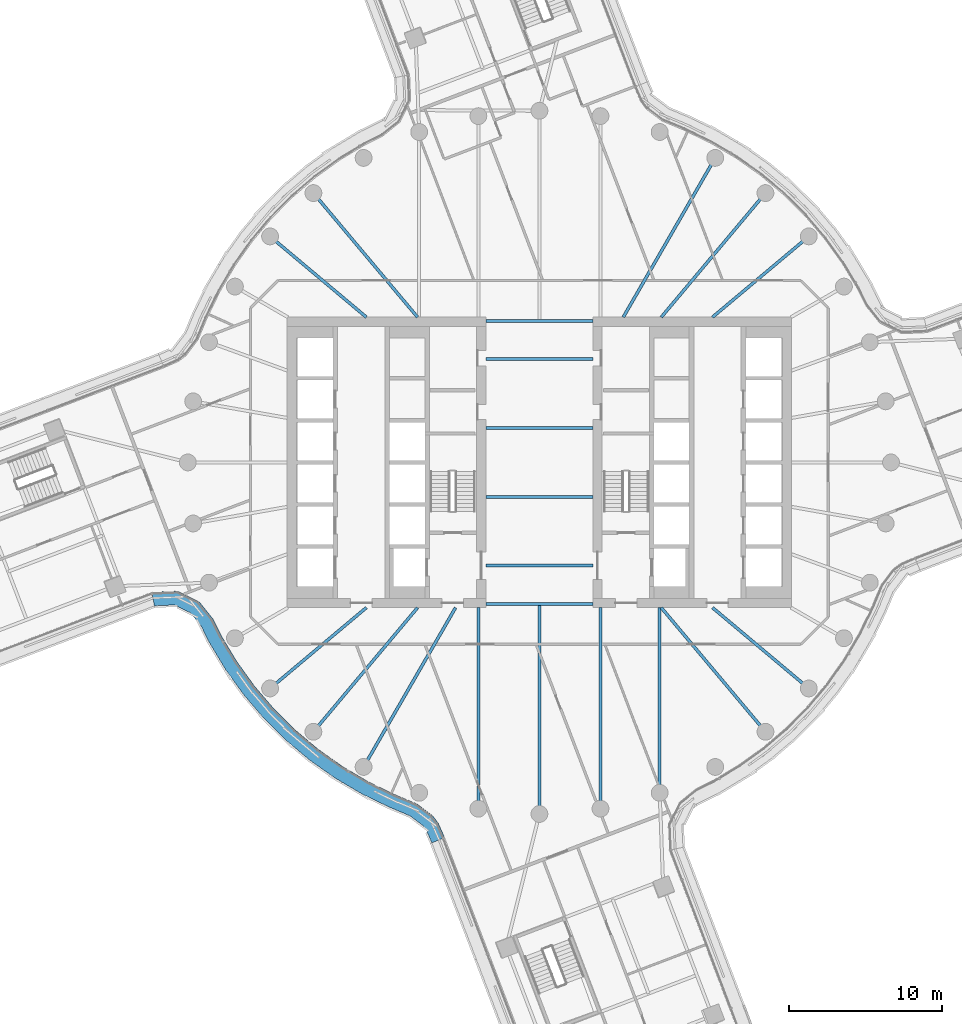
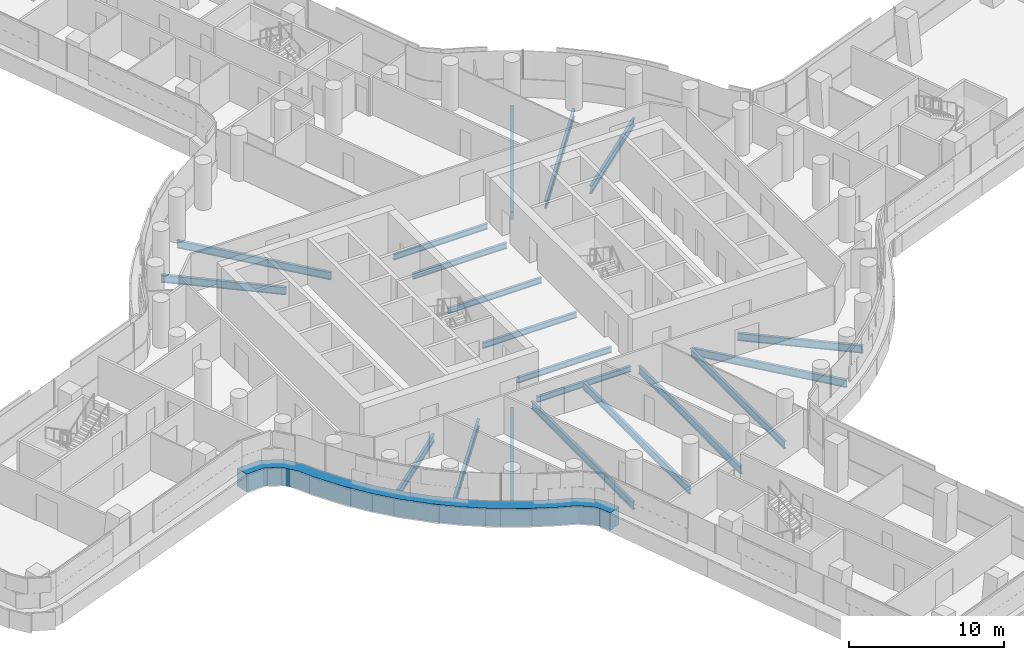
# One storey, part 8 of 32: 20 beams, 1 member, 1 element without a shape of its own.
"""IFC4 building model written with IfcOpenShell, lengths in metres."""

from ifc_helpers import new_model, si_unit, direction, frame, origin, origin_2d, place, context, subcontext, project, spatial, polyline, i_section, outline, extrude, material, layer, layer_set, material_profile, profile_set, type_object, element, aggregate, save


model = new_model("IFC4")

# Units and contexts
model_context = context("Model", 3, precision=1e-05, world=origin(), true_north=direction((0.0, 1.0)))
body_context = subcontext(model_context, "Body", "Model", "MODEL_VIEW")
ifc_project = project(units=[si_unit("LENGTHUNIT", "METRE"), si_unit("AREAUNIT", "SQUARE_METRE"), si_unit("VOLUMEUNIT", "CUBIC_METRE"), si_unit("PLANEANGLEUNIT", "RADIAN"), si_unit("MASSUNIT", "GRAM", prefix="KILO")], contexts=[model_context])

# Site, building, storey
site_placement = place(None, origin())
site = spatial("IfcSite", under=ifc_project, at=site_placement, CompositionType="ELEMENT")
building_placement = place(site_placement, origin())
building = spatial("IfcBuilding", under=site, at=building_placement, Name="Tamarind Cross Interchange Tower", CompositionType="ELEMENT")
storey_placement = place(building_placement, frame((0.0, 0.0, 109.75)))
storey = spatial("IfcBuildingStorey", under=building, at=storey_placement, Name="L26", CompositionType="ELEMENT", Elevation=109.75)

# Beams
ifc_material_1 = material(Name="Steel Q355B", Category="steel")
ifc_material_profile_1 = material_profile(ifc_material_1, i_section(OverallWidth=0.198974609375, OverallDepth=0.446044921875, WebThickness=0.008056640625, FlangeThickness=0.011962890625, FilletRadius=0.012939453125, at=origin_2d()), Name="HN 446x199x8x12")
ifc_profile_set_1 = profile_set([ifc_material_profile_1], Name="Steel Q355B")
beam_type_1 = type_object("IfcBeamType", Name="Composite beam HN 446x199x8x12 Q355B", PredefinedType="BEAM", material=ifc_profile_set_1)
for number, where, z_axis, x_axis, name in (
    (1, (-3.5, -2.25, -0.363037109375), (1.0, 0.0, 0.0), (0.0, 1.0, 0.0), "Beam G-2.25"),
    (2, (-3.5, -6.75, -0.363037109375), (1.0, 0.0, 0.0), (0.0, 1.0, 0.0), "Beam G-6.75"),
    (3, (-3.5, -9.25, -0.363037109375), (1.0, 0.0, 0.0), (0.0, 1.0, 0.0), "Beam G-9.25"),
    (4, (-3.5, 2.25, -0.363037109375), (1.0, 0.0, 0.0), (0.0, 1.0, 0.0), "Beam G2.25"),
    (5, (-3.5, 6.75, -0.363037109375), (1.0, 0.0, 0.0), (0.0, 1.0, 0.0), "Beam G6.75"),
    (6, (-3.5, 9.25, -0.363037109375), (1.0, 0.0, 0.0), (0.0, 1.0, 0.0), "Beam G9.25"),
):
    element("IfcBeam", number, at=place(storey_placement, frame(where, z_axis=z_axis, x_axis=x_axis)), inside=storey, type_object=beam_type_1, Name=name, PredefinedType="BEAM", context=body_context, shape_type="SweptSolid", body=[
        extrude(i_section(OverallWidth=0.198974609375, OverallDepth=0.446044921875, WebThickness=0.008056640625, FlangeThickness=0.011962890625, FilletRadius=0.012939453125, at=origin_2d()), origin(), (0.0, 0.0, 1.0), 7.0),
    ])
ifc_material_profile_2 = material_profile(ifc_material_1, i_section(OverallWidth=0.198974609375, OverallDepth=0.595947265625, WebThickness=0.010009765625, FlangeThickness=0.014892578125, FilletRadius=0.012939453125, at=origin_2d()), Name="HN 596x199x10x15")
ifc_profile_set_2 = profile_set([ifc_material_profile_2], Name="Steel Q355B")
beam_type_2 = type_object("IfcBeamType", Name="Composite beam HN 596x199x10x15 Q355B", PredefinedType="BEAM", material=ifc_profile_set_2)
beam_1_placement = place(storey_placement, frame((17.619140625, 14.7841796875, -0.43798828125), z_axis=(-0.766040580814, -0.642792212574, 0.0), x_axis=(0.642792212574, -0.766040580814, 0.0)))
element("IfcBeam", 7, at=beam_1_placement, inside=storey, type_object=beam_type_2, Name="Beam HH04", PredefinedType="BEAM", context=body_context, shape_type="SweptSolid", body=[
    extrude(i_section(OverallWidth=0.198974609375, OverallDepth=0.595947265625, WebThickness=0.010009765625, FlangeThickness=0.014892578125, FilletRadius=0.012939453125, at=origin_2d()), origin(), (0.0, 0.0, 1.0), 8.220703125),
])
beam_2_placement = place(storey_placement, frame((14.7841796875, 17.619140625, -0.43798828125), z_axis=(-0.642786293979, -0.766045547127, 0.0), x_axis=(0.766045547127, -0.642786293979, 0.0)))
element("IfcBeam", 8, at=beam_2_placement, inside=storey, type_object=beam_type_2, Name="Beam HH05", PredefinedType="BEAM", context=body_context, shape_type="SweptSolid", body=[
    extrude(i_section(OverallWidth=0.198974609375, OverallDepth=0.595947265625, WebThickness=0.010009765625, FlangeThickness=0.014892578125, FilletRadius=0.012939453125, at=origin_2d()), origin(), (0.0, 0.0, 1.0), 10.598876953125),
])
beam_3_placement = place(storey_placement, frame((11.5, 19.918701171875, -0.43798828125), z_axis=(-0.499993565836, -0.866029118519, 0.0), x_axis=(0.866029118519, -0.499993565836, 0.0)))
element("IfcBeam", 9, at=beam_3_placement, inside=storey, type_object=beam_type_2, Name="Beam HH06", PredefinedType="BEAM", context=body_context, shape_type="SweptSolid", body=[
    extrude(i_section(OverallWidth=0.198974609375, OverallDepth=0.595947265625, WebThickness=0.010009765625, FlangeThickness=0.014892578125, FilletRadius=0.012939453125, at=origin_2d()), origin(), (0.0, 0.0, 1.0), 12.030517578125),
])
beam_4_placement = place(storey_placement, frame((-14.7841796875, 17.619140625, -0.43798828125), z_axis=(0.642786293979, -0.766045547127, 0.0), x_axis=(0.766045547127, 0.642786293979, 0.0)))
element("IfcBeam", 10, at=beam_4_placement, inside=storey, type_object=beam_type_2, Name="Beam HH13", PredefinedType="BEAM", context=body_context, shape_type="SweptSolid", body=[
    extrude(i_section(OverallWidth=0.198974609375, OverallDepth=0.595947265625, WebThickness=0.010009765625, FlangeThickness=0.014892578125, FilletRadius=0.012939453125, at=origin_2d()), origin(), (0.0, 0.0, 1.0), 10.598876953125),
])
for number, where, z_axis, x_axis, name in (
    (11, (-17.619140625, 14.7841796875, -0.43798828125), (0.766040580814, -0.642792212574, 0.0), (0.642792212574, 0.766040580814, 0.0), "Beam HH14"),
    (12, (-17.619140625, -14.7841796875, -0.43798828125), (0.766040580814, 0.642792212574, 0.0), (-0.642792212574, 0.766040580814, 0.0), "Beam HH22"),
):
    element("IfcBeam", number, at=place(storey_placement, frame(where, z_axis=z_axis, x_axis=x_axis)), inside=storey, type_object=beam_type_2, Name=name, PredefinedType="BEAM", context=body_context, shape_type="SweptSolid", body=[
        extrude(i_section(OverallWidth=0.198974609375, OverallDepth=0.595947265625, WebThickness=0.010009765625, FlangeThickness=0.014892578125, FilletRadius=0.012939453125, at=origin_2d()), origin(), (0.0, 0.0, 1.0), 8.220703125),
    ])
beam_5_placement = place(storey_placement, frame((-14.7841796875, -17.619140625, -0.43798828125), z_axis=(0.642786293979, 0.766045547127, 0.0), x_axis=(-0.766045547127, 0.642786293979, 0.0)))
element("IfcBeam", 13, at=beam_5_placement, inside=storey, type_object=beam_type_2, Name="Beam HH23", PredefinedType="BEAM", context=body_context, shape_type="SweptSolid", body=[
    extrude(i_section(OverallWidth=0.198974609375, OverallDepth=0.595947265625, WebThickness=0.010009765625, FlangeThickness=0.014892578125, FilletRadius=0.012939453125, at=origin_2d()), origin(), (0.0, 0.0, 1.0), 10.598876953125),
])
beam_6_placement = place(storey_placement, frame((-11.5, -19.918701171875, -0.43798828125), z_axis=(0.499993565836, 0.866029118519, 0.0), x_axis=(-0.866029118519, 0.499993565836, 0.0)))
element("IfcBeam", 14, at=beam_6_placement, inside=storey, type_object=beam_type_2, Name="Beam HH24", PredefinedType="BEAM", context=body_context, shape_type="SweptSolid", body=[
    extrude(i_section(OverallWidth=0.198974609375, OverallDepth=0.595947265625, WebThickness=0.010009765625, FlangeThickness=0.014892578125, FilletRadius=0.012939453125, at=origin_2d()), origin(), (0.0, 0.0, 1.0), 12.030517578125),
])
beam_7_placement = place(storey_placement, frame((-3.993896484375, -22.650634765625, -0.43798828125), z_axis=(0.0, 1.0, 0.0), x_axis=(-1.0, 0.0, 0.0)))
element("IfcBeam", 15, at=beam_7_placement, inside=storey, type_object=beam_type_2, Name="Beam HH26", PredefinedType="BEAM", context=body_context, shape_type="SweptSolid", body=[
    extrude(i_section(OverallWidth=0.198974609375, OverallDepth=0.595947265625, WebThickness=0.010009765625, FlangeThickness=0.014892578125, FilletRadius=0.012939453125, at=origin_2d()), origin(), (0.0, 0.0, 1.0), 13.150634765625),
])
beam_8_placement = place(storey_placement, frame((0.0, -23.0, -0.43798828125), z_axis=(0.0, 1.0, 0.0), x_axis=(-1.0, 0.0, 0.0)))
element("IfcBeam", 16, at=beam_8_placement, inside=storey, type_object=beam_type_2, Name="Beam HH27", PredefinedType="BEAM", context=body_context, shape_type="SweptSolid", body=[
    extrude(i_section(OverallWidth=0.198974609375, OverallDepth=0.595947265625, WebThickness=0.010009765625, FlangeThickness=0.014892578125, FilletRadius=0.012939453125, at=origin_2d()), origin(), (0.0, 0.0, 1.0), 13.75),
])
beam_9_placement = place(storey_placement, frame((3.993896484375, -22.650634765625, -0.43798828125), z_axis=(0.0, 1.0, 0.0), x_axis=(-1.0, 0.0, 0.0)))
element("IfcBeam", 17, at=beam_9_placement, inside=storey, type_object=beam_type_2, Name="Beam HH28", PredefinedType="BEAM", context=body_context, shape_type="SweptSolid", body=[
    extrude(i_section(OverallWidth=0.198974609375, OverallDepth=0.595947265625, WebThickness=0.010009765625, FlangeThickness=0.014892578125, FilletRadius=0.012939453125, at=origin_2d()), origin(), (0.0, 0.0, 1.0), 13.150634765625),
])
beam_10_placement = place(storey_placement, frame((7.866455078125, -21.613037109375, -0.43798828125), z_axis=(0.0, 1.0, 0.0), x_axis=(-1.0, 0.0, 0.0)))
element("IfcBeam", 18, at=beam_10_placement, inside=storey, type_object=beam_type_2, Name="Beam HH29", PredefinedType="BEAM", context=body_context, shape_type="SweptSolid", body=[
    extrude(i_section(OverallWidth=0.198974609375, OverallDepth=0.595947265625, WebThickness=0.010009765625, FlangeThickness=0.014892578125, FilletRadius=0.012939453125, at=origin_2d()), origin(), (0.0, 0.0, 1.0), 12.113037109375),
])
beam_11_placement = place(storey_placement, frame((14.7841796875, -17.619140625, -0.43798828125), z_axis=(-0.642786293979, 0.766045547127, 0.0), x_axis=(-0.766045547127, -0.642786293979, 0.0)))
element("IfcBeam", 19, at=beam_11_placement, inside=storey, type_object=beam_type_2, Name="Beam HH31", PredefinedType="BEAM", context=body_context, shape_type="SweptSolid", body=[
    extrude(i_section(OverallWidth=0.198974609375, OverallDepth=0.595947265625, WebThickness=0.010009765625, FlangeThickness=0.014892578125, FilletRadius=0.012939453125, at=origin_2d()), origin(), (0.0, 0.0, 1.0), 10.598876953125),
])
beam_12_placement = place(storey_placement, frame((17.619140625, -14.7841796875, -0.43798828125), z_axis=(-0.766040580814, 0.642792212574, 0.0), x_axis=(-0.642792212574, -0.766040580814, 0.0)))
element("IfcBeam", 20, at=beam_12_placement, inside=storey, type_object=beam_type_2, Name="Beam HH32", PredefinedType="BEAM", context=body_context, shape_type="SweptSolid", body=[
    extrude(i_section(OverallWidth=0.198974609375, OverallDepth=0.595947265625, WebThickness=0.010009765625, FlangeThickness=0.014892578125, FilletRadius=0.012939453125, at=origin_2d()), origin(), (0.0, 0.0, 1.0), 8.220703125),
])

# Curtain wall, member
ifc_material_2 = material(Name="Aluminium 6063-T6", Category="aluminium")
ifc_layer = layer(ifc_material_2, 0.159912109375)
ifc_layer_set = layer_set([ifc_layer], Name="Aluminium 6063-T6")
curtain_wall_type = type_object("IfcCurtainWallType", Name="Office curtain wall, 9.0 m bays", PredefinedType="NOTDEFINED", material=ifc_layer_set)
curtain_wall_placement = place(storey_placement, origin())
curtain_wall = element("IfcCurtainWall", 21, at=curtain_wall_placement, inside=storey, type_object=curtain_wall_type, Name="CWS-L26-02", PredefinedType="NOTDEFINED")
ifc_material_3 = material(Name="Aluminium and insulated spandrel panel", Category="aluminium")
member_type = type_object("IfcMemberType", Name="Floor-edge blade transom", PredefinedType="USERDEFINED", material=ifc_material_3)
member_placement = place(storey_placement, origin())
member = element("IfcMember", 22, at=member_placement, type_object=member_type, Name="CWT-L26-02", ObjectType="TRANSOM", PredefinedType="USERDEFINED", context=body_context, shape_type="SweptSolid", body=[
    extrude(outline(polyline([(-25.366455078125, -8.4892578125), (-23.677734375, -8.417236328125), (-22.2568359375, -9.116455078125), (-21.3544921875, -10.234619140625), (-20.791259765625, -11.3671875), (-19.78125, -13.045654296875), (-18.636474609375, -14.634521484375), (-17.3642578125, -16.12353515625), (-15.973388671875, -17.50244140625), (-14.4736328125, -18.76171875), (-12.874755859375, -19.892822265625), (-11.188232421875, -20.88818359375), (-9.421142578125, -21.74267578125), (-8.0185546875, -22.330322265625), (-6.9892578125, -23.1064453125), (-6.62109375, -23.590087890625), (-6.20068359375, -24.543212890625), (-7.033447265625, -24.885498046875), (-7.401611328125, -24.050537109375), (-7.6298828125, -23.75048828125), (-8.470458984375, -23.116943359375), (-9.791259765625, -22.563232421875), (-11.613525390625, -21.68212890625), (-13.3642578125, -20.64892578125), (-15.023681640625, -19.474853515625), (-16.580810546875, -18.167724609375), (-18.0244140625, -16.736572265625), (-19.344970703125, -15.19091796875), (-20.533203125, -13.54150390625), (-21.5810546875, -11.80029296875), (-22.116455078125, -10.723388671875), (-22.83251953125, -9.836181640625), (-23.869140625, -9.326171875), (-25.182861328125, -9.38232421875), (-25.366455078125, -8.4892578125)])), origin(), (0.0, 0.0, 1.0), 1.39990234375),
])
aggregate(curtain_wall, [member])

save(model, "model.ifc")
